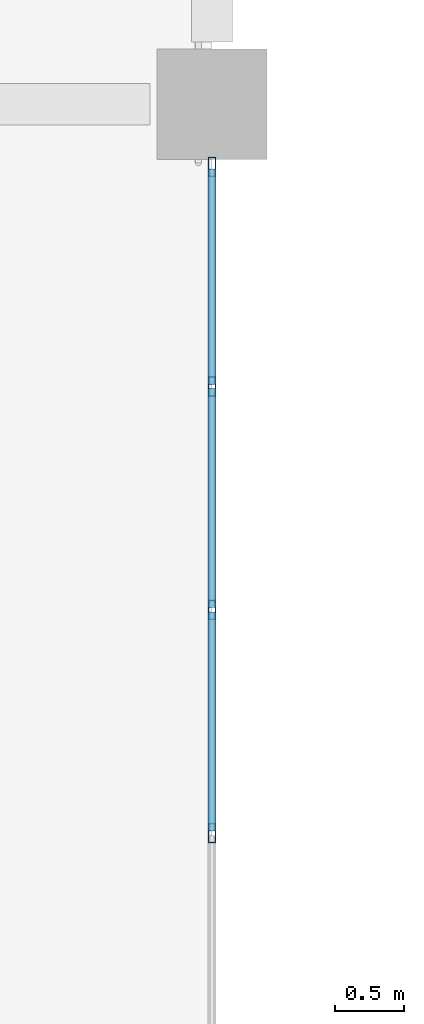
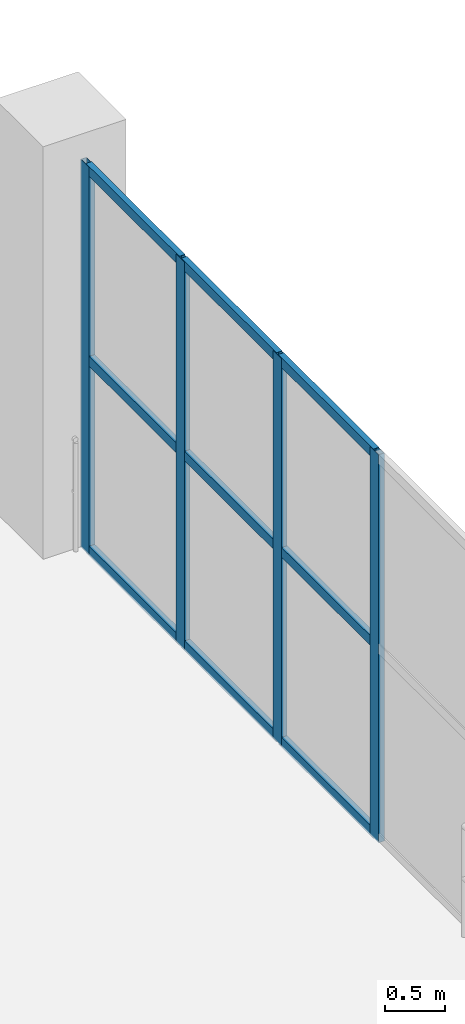
# One storey, part 56 of 153: 13 members, 1 element without a shape of its own.
"""IFC4 building model written with IfcOpenShell, lengths in metres."""

from ifc_helpers import new_model, si_unit, direction, frame, origin, origin_2d, place, context, subcontext, project, spatial, hollow_rectangle, extrude, material, material_profile, profile_set, type_object, element, aggregate, save


model = new_model("IFC4")

# Units and contexts
model_context = context("Model", 3, precision=1e-05, world=origin(), true_north=direction((0.0, 1.0)))
body_context = subcontext(model_context, "Body", "Model", "MODEL_VIEW")
ifc_project = project(units=[si_unit("LENGTHUNIT", "METRE"), si_unit("AREAUNIT", "SQUARE_METRE"), si_unit("VOLUMEUNIT", "CUBIC_METRE"), si_unit("PLANEANGLEUNIT", "RADIAN"), si_unit("MASSUNIT", "GRAM", prefix="KILO")], contexts=[model_context])

# Site, building, storey
site_placement = place(None, origin())
site = spatial("IfcSite", under=ifc_project, at=site_placement, CompositionType="ELEMENT")
building_placement = place(site_placement, origin())
building = spatial("IfcBuilding", under=site, at=building_placement, Name="Qandorah Velis Arena", CompositionType="ELEMENT")
storey_placement = place(building_placement, frame((0.0, 0.0, 5.39990234375)))
storey = spatial("IfcBuildingStorey", under=building, at=storey_placement, Name="L01", CompositionType="ELEMENT", Elevation=5.39990234375)

# Curtain wall, members
ifc_material_1 = material(Name="Solar-control low-E double glazing", Category="glass")
curtain_wall_type = type_object("IfcCurtainWallType", Name="ARC-CW-SYS12", PredefinedType="USERDEFINED", material=ifc_material_1)
curtain_wall_placement = place(storey_placement, origin())
curtain_wall = element("IfcCurtainWall", 1, at=curtain_wall_placement, inside=storey, type_object=curtain_wall_type, Name="Unitised curtain wall L01-108", ObjectType="UNITISED CURTAIN WALL", PredefinedType="USERDEFINED")
ifc_material_2 = material(Name="Champagne-bronze anodized aluminium 6063-T6", Category="aluminium")
ifc_material_profile_1 = material_profile(ifc_material_2, hollow_rectangle(XDim=0.054931640625, YDim=0.139892578125, WallThickness=0.0029296875, at=origin_2d()), Name="ALU MULLION 55x140")
ifc_profile_set_1 = profile_set([ifc_material_profile_1], Name="Champagne-bronze anodized aluminium 6063-T6")
member_type_1 = type_object("IfcMemberType", Name="ARC-CWM-140", PredefinedType="MULLION", material=ifc_profile_set_1)
member_1_placement = place(storey_placement, frame((122.39990234375, 81.11865234375, -0.014892578125), z_axis=(0.0, 0.0, 1.0), x_axis=(-1.0, 0.0, 0.0)))
member_1 = element("IfcMember", 2, at=member_1_placement, type_object=member_type_1, Name="CW12 mullion 2", PredefinedType="MULLION", context=body_context, shape_type="SweptSolid", body=[
    extrude(hollow_rectangle(XDim=0.054931640625, YDim=0.139892578125, WallThickness=0.0029296875, at=origin_2d()), origin(), (0.0, 0.0, 1.0), 3.949951171875),
])
member_2_placement = place(storey_placement, frame((122.39990234375, 82.737548828125, -0.014892578125), z_axis=(0.0, 0.0, 1.0), x_axis=(-1.0, 0.0, 0.0)))
member_2 = element("IfcMember", 3, at=member_2_placement, type_object=member_type_1, Name="CW12 mullion 3", PredefinedType="MULLION", context=body_context, shape_type="SweptSolid", body=[
    extrude(hollow_rectangle(XDim=0.054931640625, YDim=0.139892578125, WallThickness=0.0029296875, at=origin_2d()), origin(), (0.0, 0.0, 1.0), 3.949951171875),
])
member_3_placement = place(storey_placement, frame((122.39990234375, 84.356201171875, -0.014892578125), z_axis=(0.0, 0.0, 1.0), x_axis=(-1.0, 0.0, 0.0)))
member_3 = element("IfcMember", 4, at=member_3_placement, type_object=member_type_1, Name="CW12 mullion 4", PredefinedType="MULLION", context=body_context, shape_type="SweptSolid", body=[
    extrude(hollow_rectangle(XDim=0.054931640625, YDim=0.139892578125, WallThickness=0.0029296875, at=origin_2d()), origin(), (0.0, 0.0, 1.0), 3.949951171875),
])
member_4_placement = place(storey_placement, frame((122.39990234375, 85.947509765625, -0.014892578125), z_axis=(0.0, 0.0, 1.0), x_axis=(-1.0, 0.0, 0.0)))
member_4 = element("IfcMember", 5, at=member_4_placement, type_object=member_type_1, Name="CW12 mullion 5", PredefinedType="MULLION", context=body_context, shape_type="SweptSolid", body=[
    extrude(hollow_rectangle(XDim=0.054931640625, YDim=0.139892578125, WallThickness=0.0029296875, at=origin_2d()), origin(), (0.0, 0.0, 1.0), 3.949951171875),
])
ifc_material_profile_2 = material_profile(ifc_material_2, hollow_rectangle(XDim=0.054931640625, YDim=0.10009765625, WallThickness=0.0029296875, at=origin_2d()), Name="ALU TRANSOM 55x100")
ifc_profile_set_2 = profile_set([ifc_material_profile_2], Name="Champagne-bronze anodized aluminium 6063-T6")
member_type_2 = type_object("IfcMemberType", Name="ARC-CWT-100", PredefinedType="USERDEFINED", material=ifc_profile_set_2)
member_5_placement = place(storey_placement, frame((122.39990234375, 81.13427734375, 0.027587890625), z_axis=(0.0, 1.0, 0.0), x_axis=(-1.0, 0.0, 0.0)))
member_5 = element("IfcMember", 6, at=member_5_placement, type_object=member_type_2, Name="CW12 transom 2.1", ObjectType="TRANSOM", PredefinedType="USERDEFINED", context=body_context, shape_type="SweptSolid", body=[
    extrude(hollow_rectangle(XDim=0.054931640625, YDim=0.10009765625, WallThickness=0.0029296875, at=origin_2d()), origin(), (0.0, 0.0, 1.0), 1.587646484375),
])
member_6_placement = place(storey_placement, frame((122.39990234375, 81.13427734375, 1.960205078125), z_axis=(0.0, 1.0, 0.0), x_axis=(-1.0, 0.0, 0.0)))
member_6 = element("IfcMember", 7, at=member_6_placement, type_object=member_type_2, Name="CW12 transom 2.2", ObjectType="TRANSOM", PredefinedType="USERDEFINED", context=body_context, shape_type="SweptSolid", body=[
    extrude(hollow_rectangle(XDim=0.054931640625, YDim=0.10009765625, WallThickness=0.0029296875, at=origin_2d()), origin(), (0.0, 0.0, 1.0), 1.587646484375),
])
member_7_placement = place(storey_placement, frame((122.39990234375, 81.13427734375, 3.892578125), z_axis=(0.0, 1.0, 0.0), x_axis=(-1.0, 0.0, 0.0)))
member_7 = element("IfcMember", 8, at=member_7_placement, type_object=member_type_2, Name="CW12 transom 2.3", ObjectType="TRANSOM", PredefinedType="USERDEFINED", context=body_context, shape_type="SweptSolid", body=[
    extrude(hollow_rectangle(XDim=0.054931640625, YDim=0.10009765625, WallThickness=0.0029296875, at=origin_2d()), origin(), (0.0, 0.0, 1.0), 1.587646484375),
])
member_8_placement = place(storey_placement, frame((122.39990234375, 82.7529296875, 0.027587890625), z_axis=(0.0, 1.0, 0.0), x_axis=(-1.0, 0.0, 0.0)))
member_8 = element("IfcMember", 9, at=member_8_placement, type_object=member_type_2, Name="CW12 transom 3.1", ObjectType="TRANSOM", PredefinedType="USERDEFINED", context=body_context, shape_type="SweptSolid", body=[
    extrude(hollow_rectangle(XDim=0.054931640625, YDim=0.10009765625, WallThickness=0.0029296875, at=origin_2d()), origin(), (0.0, 0.0, 1.0), 1.587890625),
])
member_9_placement = place(storey_placement, frame((122.39990234375, 82.7529296875, 1.960205078125), z_axis=(0.0, 1.0, 0.0), x_axis=(-1.0, 0.0, 0.0)))
member_9 = element("IfcMember", 10, at=member_9_placement, type_object=member_type_2, Name="CW12 transom 3.2", ObjectType="TRANSOM", PredefinedType="USERDEFINED", context=body_context, shape_type="SweptSolid", body=[
    extrude(hollow_rectangle(XDim=0.054931640625, YDim=0.10009765625, WallThickness=0.0029296875, at=origin_2d()), origin(), (0.0, 0.0, 1.0), 1.587890625),
])
member_10_placement = place(storey_placement, frame((122.39990234375, 82.7529296875, 3.892578125), z_axis=(0.0, 1.0, 0.0), x_axis=(-1.0, 0.0, 0.0)))
member_10 = element("IfcMember", 11, at=member_10_placement, type_object=member_type_2, Name="CW12 transom 3.3", ObjectType="TRANSOM", PredefinedType="USERDEFINED", context=body_context, shape_type="SweptSolid", body=[
    extrude(hollow_rectangle(XDim=0.054931640625, YDim=0.10009765625, WallThickness=0.0029296875, at=origin_2d()), origin(), (0.0, 0.0, 1.0), 1.587890625),
])
member_11_placement = place(storey_placement, frame((122.39990234375, 84.37158203125, 0.027587890625), z_axis=(0.0, 1.0, 0.0), x_axis=(-1.0, 0.0, 0.0)))
member_11 = element("IfcMember", 12, at=member_11_placement, type_object=member_type_2, Name="CW12 transom 4.1", ObjectType="TRANSOM", PredefinedType="USERDEFINED", context=body_context, shape_type="SweptSolid", body=[
    extrude(hollow_rectangle(XDim=0.054931640625, YDim=0.10009765625, WallThickness=0.0029296875, at=origin_2d()), origin(), (0.0, 0.0, 1.0), 1.560302734375),
])
member_12_placement = place(storey_placement, frame((122.39990234375, 84.37158203125, 1.960205078125), z_axis=(0.0, 1.0, 0.0), x_axis=(-1.0, 0.0, 0.0)))
member_12 = element("IfcMember", 13, at=member_12_placement, type_object=member_type_2, Name="CW12 transom 4.2", ObjectType="TRANSOM", PredefinedType="USERDEFINED", context=body_context, shape_type="SweptSolid", body=[
    extrude(hollow_rectangle(XDim=0.054931640625, YDim=0.10009765625, WallThickness=0.0029296875, at=origin_2d()), origin(), (0.0, 0.0, 1.0), 1.560302734375),
])
member_13_placement = place(storey_placement, frame((122.39990234375, 84.37158203125, 3.892578125), z_axis=(0.0, 1.0, 0.0), x_axis=(-1.0, 0.0, 0.0)))
member_13 = element("IfcMember", 14, at=member_13_placement, type_object=member_type_2, Name="CW12 transom 4.3", ObjectType="TRANSOM", PredefinedType="USERDEFINED", context=body_context, shape_type="SweptSolid", body=[
    extrude(hollow_rectangle(XDim=0.054931640625, YDim=0.10009765625, WallThickness=0.0029296875, at=origin_2d()), origin(), (0.0, 0.0, 1.0), 1.560302734375),
])
aggregate(curtain_wall, [member_1, member_2, member_3, member_4, member_5, member_6, member_7, member_8, member_9, member_10, member_11, member_12, member_13])

save(model, "model.ifc")
